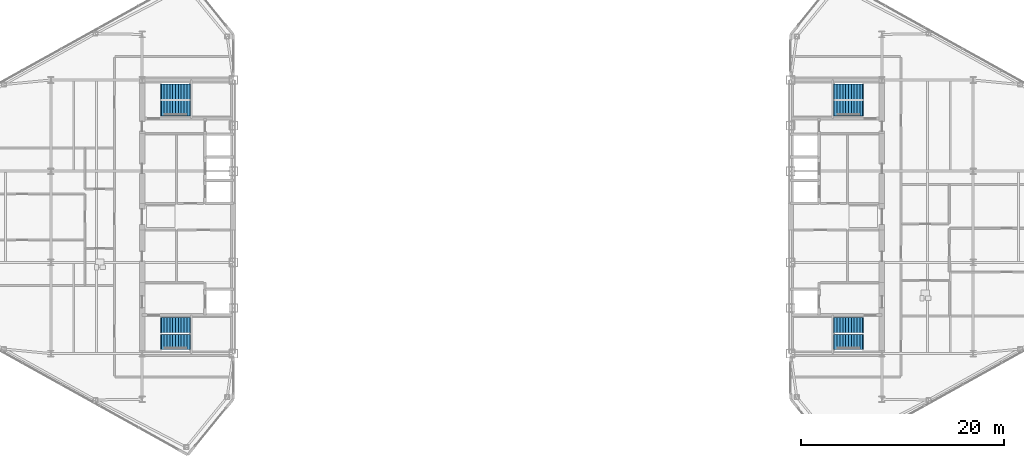
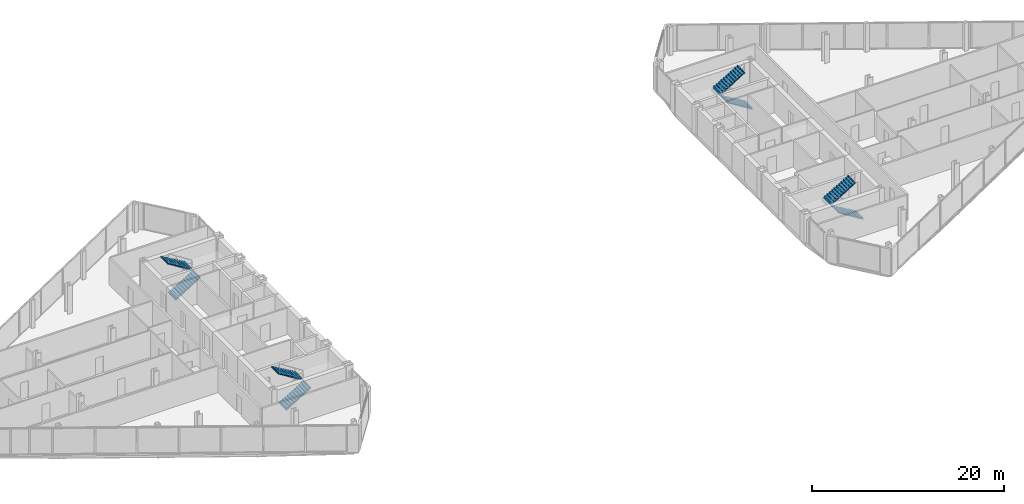
# One storey, part 23 of 25: 8 stair flights, 4 elements without a shape of their own.
"""IFC4 building model written with IfcOpenShell, lengths in metres."""

from ifc_helpers import new_model, si_unit, direction, frame, origin, place, context, subcontext, project, spatial, polyline, outline, extrude, material, type_object, element, aggregate, save


model = new_model("IFC4")

# Units and contexts
model_context = context("Model", 3, precision=1e-05, world=origin(), true_north=direction((0.0, 1.0)))
body_context = subcontext(model_context, "Body", "Model", "MODEL_VIEW")
ifc_project = project(units=[si_unit("LENGTHUNIT", "METRE"), si_unit("AREAUNIT", "SQUARE_METRE"), si_unit("VOLUMEUNIT", "CUBIC_METRE"), si_unit("PLANEANGLEUNIT", "RADIAN"), si_unit("MASSUNIT", "GRAM", prefix="KILO")], contexts=[model_context])

# Site, building, storey
site_placement = place(None, origin())
site = spatial("IfcSite", under=ifc_project, at=site_placement, CompositionType="ELEMENT")
building_placement = place(site_placement, origin())
building = spatial("IfcBuilding", under=site, at=building_placement, Name="Seokmaru Belvedere", CompositionType="ELEMENT")
storey_placement = place(building_placement, frame((0.0, 0.0, 185.10009765625)))
storey = spatial("IfcBuildingStorey", under=building, at=storey_placement, Name="L49", CompositionType="ELEMENT", Elevation=185.10009765625)

# Stair, stair flights
ifc_material = material(Name="Concrete C40 (40 MPa)", Category="concrete")
stair_type = type_object("IfcStairType", Name="Typical Tower Core Dog-Leg Stair 3600", PredefinedType="TWO_STRAIGHT_RUN_STAIR", material=ifc_material)
stair_1_placement = place(storey_placement, origin())
stair_1 = element("IfcStair", 1, at=stair_1_placement, inside=storey, type_object=stair_type, Name="L49 Special Escape Stair ST-W1", PredefinedType="TWO_STRAIGHT_RUN_STAIR")
stair_flight_type = type_object("IfcStairFlightType", Name="Reinforced Concrete Stair Flight 1500", PredefinedType="STRAIGHT", material=ifc_material)
stair_flight_1_placement = place(storey_placement, frame((-34.60009765625, -12.35009765625, 0.0), z_axis=(0.0, 0.0, 1.0), x_axis=(1.0, 0.0, 0.0)))
stair_flight_1 = element("IfcStairFlight", 2, at=stair_flight_1_placement, type_object=stair_flight_type, Name="ST-W1 flight 1", NumberOfRisers=11, NumberOfTreads=10, PredefinedType="STRAIGHT", RiserHeight=0.163636364, TreadLength=0.28, context=body_context, shape_type="SweptSolid", body=[
    extrude(outline(polyline([(-0.080078125, 0.0), (0.0, 0.16357421875), (0.280029296875, 0.16357421875), (0.280029296875, 0.327392578125), (0.56005859375, 0.327392578125), (0.56005859375, 0.490966796875), (0.840087890625, 0.490966796875), (0.840087890625, 0.654541015625), (1.1201171875, 0.654541015625), (1.1201171875, 0.818115234375), (1.39990234375, 0.818115234375), (1.39990234375, 0.98193359375), (1.679931640625, 0.98193359375), (1.679931640625, 1.1455078125), (1.9599609375, 1.1455078125), (1.9599609375, 1.30908203125), (2.239990234375, 1.30908203125), (2.239990234375, 1.47265625), (2.52001953125, 1.47265625), (2.52001953125, 1.636474609375), (2.800048828125, 1.636474609375), (2.800048828125, 1.800048828125), (2.8798828125, 1.800048828125), (2.8798828125, 1.610107421875), (2.800048828125, 1.610107421875), (0.0, -0.159912109375), (-0.080078125, -0.159912109375), (-0.080078125, 0.0)])), frame((0.0, 0.75, 0.0), z_axis=(0.0, -1.0, 0.0), x_axis=(1.0, 0.0, 0.0)), (0.0, 0.0, 1.0), 1.5),
])
stair_flight_2_placement = place(storey_placement, frame((-31.800048828125, -10.7099609375, 1.7998046875), z_axis=(0.0, 0.0, 1.0), x_axis=(-1.0, 0.0, 0.0)))
stair_flight_2 = element("IfcStairFlight", 3, at=stair_flight_2_placement, type_object=stair_flight_type, Name="ST-W1 flight 2", NumberOfRisers=11, NumberOfTreads=10, PredefinedType="STRAIGHT", RiserHeight=0.163636364, TreadLength=0.28, context=body_context, shape_type="SweptSolid", body=[
    extrude(outline(polyline([(-0.080078125, 0.0), (0.0, 0.16357421875), (0.280029296875, 0.16357421875), (0.280029296875, 0.327392578125), (0.56005859375, 0.327392578125), (0.56005859375, 0.490966796875), (0.840087890625, 0.490966796875), (0.840087890625, 0.654541015625), (1.1201171875, 0.654541015625), (1.1201171875, 0.818115234375), (1.39990234375, 0.818115234375), (1.39990234375, 0.98193359375), (1.679931640625, 0.98193359375), (1.679931640625, 1.1455078125), (1.9599609375, 1.1455078125), (1.9599609375, 1.30908203125), (2.239990234375, 1.30908203125), (2.239990234375, 1.47265625), (2.52001953125, 1.47265625), (2.52001953125, 1.636474609375), (2.800048828125, 1.636474609375), (2.800048828125, 1.800048828125), (2.8798828125, 1.800048828125), (2.8798828125, 1.610107421875), (2.800048828125, 1.610107421875), (0.0, -0.159912109375), (-0.080078125, -0.159912109375), (-0.080078125, 0.0)])), frame((0.0, 0.75, 0.0), z_axis=(0.0, -1.0, 0.0), x_axis=(1.0, 0.0, 0.0)), (0.0, 0.0, 1.0), 1.5),
])
aggregate(stair_1, [stair_flight_1, stair_flight_2])

stair_2_placement = place(storey_placement, origin())
stair_2 = element("IfcStair", 4, at=stair_2_placement, inside=storey, type_object=stair_type, Name="L49 Special Escape Stair ST-W2", PredefinedType="TWO_STRAIGHT_RUN_STAIR")
stair_flight_3_placement = place(storey_placement, frame((-34.60009765625, 10.7099609375, 0.0), z_axis=(0.0, 0.0, 1.0), x_axis=(1.0, 0.0, 0.0)))
stair_flight_3 = element("IfcStairFlight", 5, at=stair_flight_3_placement, type_object=stair_flight_type, Name="ST-W2 flight 1", NumberOfRisers=11, NumberOfTreads=10, PredefinedType="STRAIGHT", RiserHeight=0.163636364, TreadLength=0.28, context=body_context, shape_type="SweptSolid", body=[
    extrude(outline(polyline([(-0.080078125, 0.0), (0.0, 0.16357421875), (0.280029296875, 0.16357421875), (0.280029296875, 0.327392578125), (0.56005859375, 0.327392578125), (0.56005859375, 0.490966796875), (0.840087890625, 0.490966796875), (0.840087890625, 0.654541015625), (1.1201171875, 0.654541015625), (1.1201171875, 0.818115234375), (1.39990234375, 0.818115234375), (1.39990234375, 0.98193359375), (1.679931640625, 0.98193359375), (1.679931640625, 1.1455078125), (1.9599609375, 1.1455078125), (1.9599609375, 1.30908203125), (2.239990234375, 1.30908203125), (2.239990234375, 1.47265625), (2.52001953125, 1.47265625), (2.52001953125, 1.636474609375), (2.800048828125, 1.636474609375), (2.800048828125, 1.800048828125), (2.8798828125, 1.800048828125), (2.8798828125, 1.610107421875), (2.800048828125, 1.610107421875), (0.0, -0.159912109375), (-0.080078125, -0.159912109375), (-0.080078125, 0.0)])), frame((0.0, 0.75, 0.0), z_axis=(0.0, -1.0, 0.0), x_axis=(1.0, 0.0, 0.0)), (0.0, 0.0, 1.0), 1.5),
])
stair_flight_4_placement = place(storey_placement, frame((-31.800048828125, 12.35009765625, 1.7998046875), z_axis=(0.0, 0.0, 1.0), x_axis=(-1.0, 0.0, 0.0)))
stair_flight_4 = element("IfcStairFlight", 6, at=stair_flight_4_placement, type_object=stair_flight_type, Name="ST-W2 flight 2", NumberOfRisers=11, NumberOfTreads=10, PredefinedType="STRAIGHT", RiserHeight=0.163636364, TreadLength=0.28, context=body_context, shape_type="SweptSolid", body=[
    extrude(outline(polyline([(-0.080078125, 0.0), (0.0, 0.16357421875), (0.280029296875, 0.16357421875), (0.280029296875, 0.327392578125), (0.56005859375, 0.327392578125), (0.56005859375, 0.490966796875), (0.840087890625, 0.490966796875), (0.840087890625, 0.654541015625), (1.1201171875, 0.654541015625), (1.1201171875, 0.818115234375), (1.39990234375, 0.818115234375), (1.39990234375, 0.98193359375), (1.679931640625, 0.98193359375), (1.679931640625, 1.1455078125), (1.9599609375, 1.1455078125), (1.9599609375, 1.30908203125), (2.239990234375, 1.30908203125), (2.239990234375, 1.47265625), (2.52001953125, 1.47265625), (2.52001953125, 1.636474609375), (2.800048828125, 1.636474609375), (2.800048828125, 1.800048828125), (2.8798828125, 1.800048828125), (2.8798828125, 1.610107421875), (2.800048828125, 1.610107421875), (0.0, -0.159912109375), (-0.080078125, -0.159912109375), (-0.080078125, 0.0)])), frame((0.0, 0.75, 0.0), z_axis=(0.0, -1.0, 0.0), x_axis=(1.0, 0.0, 0.0)), (0.0, 0.0, 1.0), 1.5),
])
aggregate(stair_2, [stair_flight_3, stair_flight_4])

stair_3_placement = place(storey_placement, origin())
stair_3 = element("IfcStair", 7, at=stair_3_placement, inside=storey, type_object=stair_type, Name="L49 Special Escape Stair ST-E1", PredefinedType="TWO_STRAIGHT_RUN_STAIR")
stair_flight_5_placement = place(storey_placement, frame((34.60009765625, -12.35009765625, 0.0), z_axis=(0.0, 0.0, 1.0), x_axis=(-1.0, 0.0, 0.0)))
stair_flight_5 = element("IfcStairFlight", 8, at=stair_flight_5_placement, type_object=stair_flight_type, Name="ST-E1 flight 1", NumberOfRisers=11, NumberOfTreads=10, PredefinedType="STRAIGHT", RiserHeight=0.163636364, TreadLength=0.28, context=body_context, shape_type="SweptSolid", body=[
    extrude(outline(polyline([(-0.080078125, 0.0), (0.0, 0.16357421875), (0.280029296875, 0.16357421875), (0.280029296875, 0.327392578125), (0.56005859375, 0.327392578125), (0.56005859375, 0.490966796875), (0.840087890625, 0.490966796875), (0.840087890625, 0.654541015625), (1.1201171875, 0.654541015625), (1.1201171875, 0.818115234375), (1.39990234375, 0.818115234375), (1.39990234375, 0.98193359375), (1.679931640625, 0.98193359375), (1.679931640625, 1.1455078125), (1.9599609375, 1.1455078125), (1.9599609375, 1.30908203125), (2.239990234375, 1.30908203125), (2.239990234375, 1.47265625), (2.52001953125, 1.47265625), (2.52001953125, 1.636474609375), (2.800048828125, 1.636474609375), (2.800048828125, 1.800048828125), (2.8798828125, 1.800048828125), (2.8798828125, 1.610107421875), (2.800048828125, 1.610107421875), (0.0, -0.159912109375), (-0.080078125, -0.159912109375), (-0.080078125, 0.0)])), frame((0.0, 0.75, 0.0), z_axis=(0.0, -1.0, 0.0), x_axis=(1.0, 0.0, 0.0)), (0.0, 0.0, 1.0), 1.5),
])
stair_flight_6_placement = place(storey_placement, frame((31.800048828125, -10.7099609375, 1.7998046875), z_axis=(0.0, 0.0, 1.0), x_axis=(1.0, 0.0, 0.0)))
stair_flight_6 = element("IfcStairFlight", 9, at=stair_flight_6_placement, type_object=stair_flight_type, Name="ST-E1 flight 2", NumberOfRisers=11, NumberOfTreads=10, PredefinedType="STRAIGHT", RiserHeight=0.163636364, TreadLength=0.28, context=body_context, shape_type="SweptSolid", body=[
    extrude(outline(polyline([(-0.080078125, 0.0), (0.0, 0.16357421875), (0.280029296875, 0.16357421875), (0.280029296875, 0.327392578125), (0.56005859375, 0.327392578125), (0.56005859375, 0.490966796875), (0.840087890625, 0.490966796875), (0.840087890625, 0.654541015625), (1.1201171875, 0.654541015625), (1.1201171875, 0.818115234375), (1.39990234375, 0.818115234375), (1.39990234375, 0.98193359375), (1.679931640625, 0.98193359375), (1.679931640625, 1.1455078125), (1.9599609375, 1.1455078125), (1.9599609375, 1.30908203125), (2.239990234375, 1.30908203125), (2.239990234375, 1.47265625), (2.52001953125, 1.47265625), (2.52001953125, 1.636474609375), (2.800048828125, 1.636474609375), (2.800048828125, 1.800048828125), (2.8798828125, 1.800048828125), (2.8798828125, 1.610107421875), (2.800048828125, 1.610107421875), (0.0, -0.159912109375), (-0.080078125, -0.159912109375), (-0.080078125, 0.0)])), frame((0.0, 0.75, 0.0), z_axis=(0.0, -1.0, 0.0), x_axis=(1.0, 0.0, 0.0)), (0.0, 0.0, 1.0), 1.5),
])
aggregate(stair_3, [stair_flight_5, stair_flight_6])

stair_4_placement = place(storey_placement, origin())
stair_4 = element("IfcStair", 10, at=stair_4_placement, inside=storey, type_object=stair_type, Name="L49 Special Escape Stair ST-E2", PredefinedType="TWO_STRAIGHT_RUN_STAIR")
stair_flight_7_placement = place(storey_placement, frame((34.60009765625, 10.7099609375, 0.0), z_axis=(0.0, 0.0, 1.0), x_axis=(-1.0, 0.0, 0.0)))
stair_flight_7 = element("IfcStairFlight", 11, at=stair_flight_7_placement, type_object=stair_flight_type, Name="ST-E2 flight 1", NumberOfRisers=11, NumberOfTreads=10, PredefinedType="STRAIGHT", RiserHeight=0.163636364, TreadLength=0.28, context=body_context, shape_type="SweptSolid", body=[
    extrude(outline(polyline([(-0.080078125, 0.0), (0.0, 0.16357421875), (0.280029296875, 0.16357421875), (0.280029296875, 0.327392578125), (0.56005859375, 0.327392578125), (0.56005859375, 0.490966796875), (0.840087890625, 0.490966796875), (0.840087890625, 0.654541015625), (1.1201171875, 0.654541015625), (1.1201171875, 0.818115234375), (1.39990234375, 0.818115234375), (1.39990234375, 0.98193359375), (1.679931640625, 0.98193359375), (1.679931640625, 1.1455078125), (1.9599609375, 1.1455078125), (1.9599609375, 1.30908203125), (2.239990234375, 1.30908203125), (2.239990234375, 1.47265625), (2.52001953125, 1.47265625), (2.52001953125, 1.636474609375), (2.800048828125, 1.636474609375), (2.800048828125, 1.800048828125), (2.8798828125, 1.800048828125), (2.8798828125, 1.610107421875), (2.800048828125, 1.610107421875), (0.0, -0.159912109375), (-0.080078125, -0.159912109375), (-0.080078125, 0.0)])), frame((0.0, 0.75, 0.0), z_axis=(0.0, -1.0, 0.0), x_axis=(1.0, 0.0, 0.0)), (0.0, 0.0, 1.0), 1.5),
])
stair_flight_8_placement = place(storey_placement, frame((31.800048828125, 12.35009765625, 1.7998046875), z_axis=(0.0, 0.0, 1.0), x_axis=(1.0, 0.0, 0.0)))
stair_flight_8 = element("IfcStairFlight", 12, at=stair_flight_8_placement, type_object=stair_flight_type, Name="ST-E2 flight 2", NumberOfRisers=11, NumberOfTreads=10, PredefinedType="STRAIGHT", RiserHeight=0.163636364, TreadLength=0.28, context=body_context, shape_type="SweptSolid", body=[
    extrude(outline(polyline([(-0.080078125, 0.0), (0.0, 0.16357421875), (0.280029296875, 0.16357421875), (0.280029296875, 0.327392578125), (0.56005859375, 0.327392578125), (0.56005859375, 0.490966796875), (0.840087890625, 0.490966796875), (0.840087890625, 0.654541015625), (1.1201171875, 0.654541015625), (1.1201171875, 0.818115234375), (1.39990234375, 0.818115234375), (1.39990234375, 0.98193359375), (1.679931640625, 0.98193359375), (1.679931640625, 1.1455078125), (1.9599609375, 1.1455078125), (1.9599609375, 1.30908203125), (2.239990234375, 1.30908203125), (2.239990234375, 1.47265625), (2.52001953125, 1.47265625), (2.52001953125, 1.636474609375), (2.800048828125, 1.636474609375), (2.800048828125, 1.800048828125), (2.8798828125, 1.800048828125), (2.8798828125, 1.610107421875), (2.800048828125, 1.610107421875), (0.0, -0.159912109375), (-0.080078125, -0.159912109375), (-0.080078125, 0.0)])), frame((0.0, 0.75, 0.0), z_axis=(0.0, -1.0, 0.0), x_axis=(1.0, 0.0, 0.0)), (0.0, 0.0, 1.0), 1.5),
])
aggregate(stair_4, [stair_flight_7, stair_flight_8])

save(model, "model.ifc")
